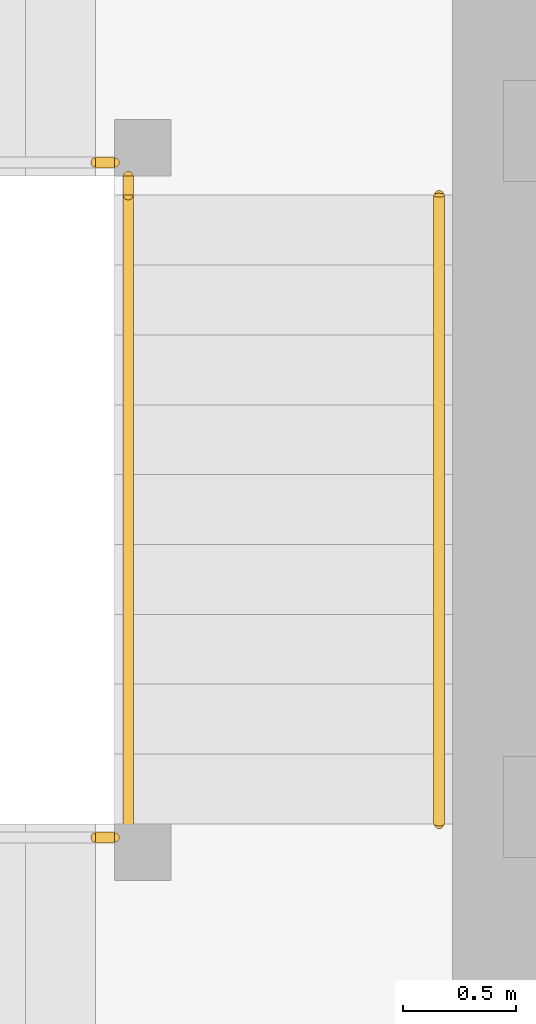
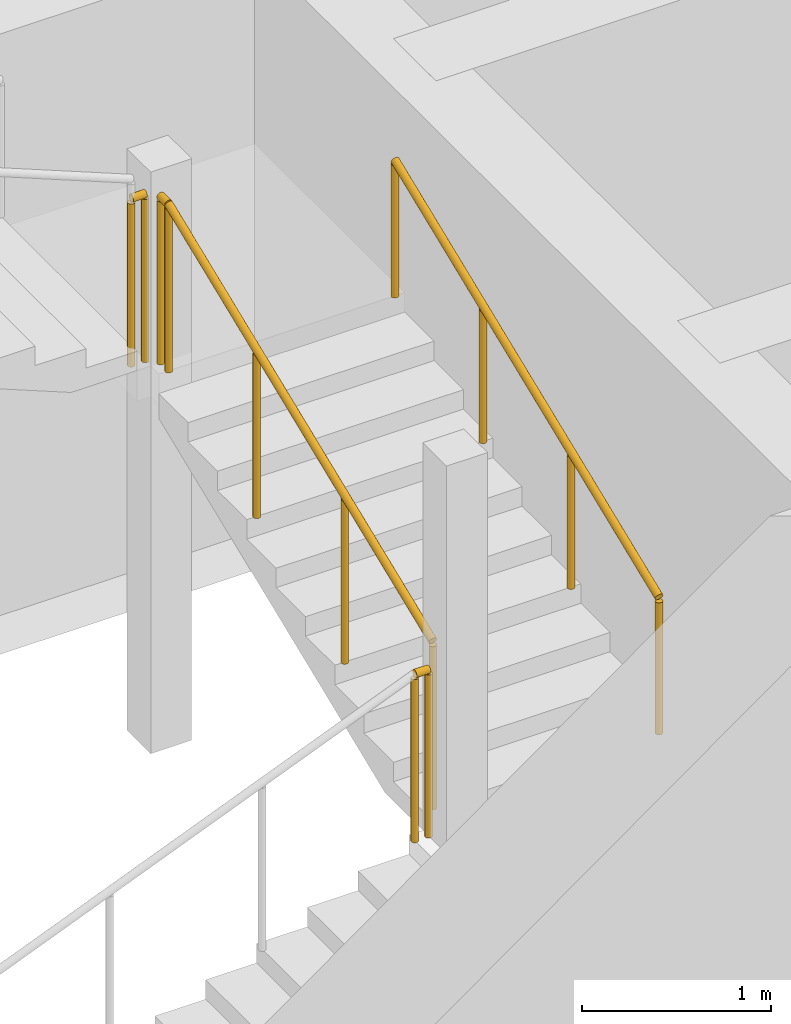
# One storey, part 30 of 33: 5 railings.
"""IFC4 building model written with IfcOpenShell, lengths in metres."""

import ifcopenshell
import ifcopenshell.guid

model = None  # the IFC model being written
_history = None  # IfcOwnerHistory: only IFC2X3 demands one
_inside = {}  # id of a spatial element -> (the spatial element, [elements in it])
_under = {}  # id of a project, library or spatial element -> (it, [spatial elements below it])
_declared = {}  # id of a project -> (the project, [libraries it declares])
_typed = {}  # id of a type object -> (the type object, [elements of that type])
_made_of = {}  # id of a material, layer set ... -> (it, [elements and type objects made of it])


def new_model(schema):
    """Start an empty IFC model of exactly this schema.

    Asked for "IFC4X3", IfcOpenShell would pick the latest addendum, in which some entities
    have other attributes; the version numbers below select the first issue.
    IFC2X3 requires an IfcOwnerHistory on every rooted entity: one is made here for all.
    """
    global model, _history
    if schema == "IFC4X3":
        model = ifcopenshell.file(schema_version=(4, 3, 0, 0))
    else:
        model = ifcopenshell.file(schema=schema)
    _inside.clear()
    _under.clear()
    _declared.clear()
    _typed.clear()
    _made_of.clear()
    _history = None
    if model.schema == "IFC2X3":
        org = make("IfcOrganization", Name="unknown")
        user = make(
            "IfcPersonAndOrganization",
            ThePerson=make("IfcPerson", FamilyName="unknown"),
            TheOrganization=org,
        )
        app = make(
            "IfcApplication",
            ApplicationDeveloper=org,
            Version="unknown",
            ApplicationFullName="unknown",
            ApplicationIdentifier="unknown",
        )
        _history = make(
            "IfcOwnerHistory",
            OwningUser=user,
            OwningApplication=app,
            ChangeAction="ADDED",
            CreationDate=0,
        )
    return model


def make(cls, **values):
    """One entity of the class cls with the attributes given. An attribute that is None is left unset."""
    return model.create_entity(
        cls, **{name: value for name, value in values.items() if value is not None}
    )


def rooted(cls, **values):
    """An entity with a GlobalId (a new one), such as an element, a storey or a relation."""
    return make(cls, GlobalId=ifcopenshell.guid.new(), OwnerHistory=_history, **values)


def si_unit(unit_type, name, prefix=None):
    """IfcSIUnit, for example si_unit("LENGTHUNIT", "METRE", prefix="MILLI")."""
    return make("IfcSIUnit", UnitType=unit_type, Prefix=prefix, Name=name)


def assignment(units):
    """IfcUnitAssignment: the units of a project."""
    return None if units is None else make("IfcUnitAssignment", Units=units)


def point(xyz):
    """IfcCartesianPoint."""
    return None if xyz is None else make("IfcCartesianPoint", Coordinates=xyz)


def direction(xyz):
    """IfcDirection."""
    return None if xyz is None else make("IfcDirection", DirectionRatios=xyz)


def frame(location, z_axis=None, x_axis=None):
    """IfcAxis2Placement3D, a coordinate frame: its origin and axes. An axis left out is left unset."""
    return make(
        "IfcAxis2Placement3D",
        Location=point(location),
        Axis=direction(z_axis),
        RefDirection=direction(x_axis),
    )


def frame_2d(location, x_axis=None):
    """IfcAxis2Placement2D, a coordinate frame in the plane: its origin and x axis."""
    return make(
        "IfcAxis2Placement2D", Location=point(location), RefDirection=direction(x_axis)
    )


def origin():
    """The frame at (0, 0, 0) with its axes left unset."""
    return frame((0.0, 0.0, 0.0))


def origin_2d():
    """The frame at (0, 0) in the plane with its x axis left unset."""
    return frame_2d((0.0, 0.0))


def place(relative_to, where):
    """IfcLocalPlacement: puts the frame where relative to a parent placement (None: the world)."""
    return make(
        "IfcLocalPlacement", PlacementRelTo=relative_to, RelativePlacement=where
    )


def context(
    kind, dimensions, precision=None, world=None, true_north=None, identifier=None
):
    """IfcGeometricRepresentationContext, for example the 3D "Model" context."""
    return make(
        "IfcGeometricRepresentationContext",
        ContextIdentifier=identifier,
        ContextType=kind,
        CoordinateSpaceDimension=dimensions,
        Precision=precision,
        WorldCoordinateSystem=world,
        TrueNorth=true_north,
    )


def subcontext(parent, identifier, kind, view, scale=None):
    """IfcGeometricRepresentationSubContext, for example "Body" below "Model"."""
    return make(
        "IfcGeometricRepresentationSubContext",
        ContextIdentifier=identifier,
        ContextType=kind,
        ParentContext=parent,
        TargetScale=scale,
        TargetView=view,
    )


def project(units=None, contexts=None):
    """IfcProject with its units and contexts."""
    return rooted(
        "IfcProject",
        Name="project",
        RepresentationContexts=contexts,
        UnitsInContext=assignment(units),
    )


def spatial(cls, under=None, at=None, **own):
    """A site, building, storey or space (cls), placed at a placement, below another one or the project."""
    s = rooted(cls, ObjectPlacement=at, **own)
    if under is not None:
        _under.setdefault(under.id(), (under, []))[1].append(s)
    return s


def profile(cls, at=None, kind="AREA", **sizes):
    """A parametric profile (cls). Its sizes go by their IFC names, for example OverallWidth=200.0."""
    return make(cls, ProfileType=kind, Position=at, **sizes)


def circle(**sizes):
    """IfcCircleProfileDef."""
    return profile("IfcCircleProfileDef", **sizes)


def extrude(swept, where, along, depth):
    """IfcExtrudedAreaSolid: the profile swept, set in the frame where, extruded along a direction by depth."""
    return make(
        "IfcExtrudedAreaSolid",
        SweptArea=swept,
        Position=where,
        ExtrudedDirection=direction(along),
        Depth=depth,
    )


def shape(context_of_items, identifier, shape_type, items):
    """IfcShapeRepresentation: the items that make up one representation, for example the "Body"."""
    return make(
        "IfcShapeRepresentation",
        ContextOfItems=context_of_items,
        RepresentationIdentifier=identifier,
        RepresentationType=shape_type,
        Items=items,
    )


def material(Name=None, Category=None):
    """IfcMaterial."""
    return make("IfcMaterial", Name=Name, Category=Category)


def made_of(thing, what):
    """Note that an element or type object is made of a material, layer set ...; save() writes the relation."""
    if what is not None:
        _made_of.setdefault(what.id(), (what, []))[1].append(thing)
    return thing


def type_object(cls, material=None, **own):
    """A type object (cls), such as IfcWallType, which elements share."""
    return made_of(rooted(cls, **own), material)


def element(
    cls,
    number,
    at=None,
    inside=None,
    cuts=None,
    type_object=None,
    material=None,
    context=None,
    identifier="Body",
    shape_type=None,
    held_by="IfcProductDefinitionShape",
    body=None,
    shapes=None,
    **own,
):
    """One element of the class cls, such as IfcWall. Its Tag is "e" and its number.

    at: its placement. inside: the storey or other place that contains it. cuts: it is an
    opening in that element (IfcRelVoidsElement). A single representation is given by context,
    identifier, shape_type and body (its items); several are given by shapes. held_by: the class
    of the entity that holds the representations. save() writes the other relations.
    """
    e = rooted(cls, Tag="e%d" % number, ObjectPlacement=at, **own)
    if body is not None:
        shapes = [shape(context, identifier, shape_type, body)]
    if shapes is not None:
        e.Representation = make(held_by, Representations=shapes)
    if inside is not None:
        _inside.setdefault(inside.id(), (inside, []))[1].append(e)
    if cuts is not None:
        rooted(
            "IfcRelVoidsElement", RelatingBuildingElement=cuts, RelatedOpeningElement=e
        )
    if type_object is not None:
        _typed.setdefault(type_object.id(), (type_object, []))[1].append(e)
    return made_of(e, material)


def aggregate(whole, parts):
    """IfcRelAggregates: a whole, such as a stair, and the parts it consists of."""
    return rooted("IfcRelAggregates", RelatingObject=whole, RelatedObjects=parts)


def save(model, path):
    """Write the relations noted so far, then the file.

    IfcRelAggregates (storeys below a building ...), IfcRelContainedInSpatialStructure (elements
    in a storey), IfcRelDefinesByType, IfcRelAssociatesMaterial and IfcRelDeclares: one each for
    every whole, place, type object, material and project.
    """
    for whole, parts in _under.values():
        aggregate(whole, parts)
    for where, things in _inside.values():
        rooted(
            "IfcRelContainedInSpatialStructure",
            RelatedElements=things,
            RelatingStructure=where,
        )
    for kind, things in _typed.values():
        rooted("IfcRelDefinesByType", RelatedObjects=things, RelatingType=kind)
    for what, things in _made_of.values():
        rooted("IfcRelAssociatesMaterial", RelatedObjects=things, RelatingMaterial=what)
    for by, libraries in _declared.values():
        rooted("IfcRelDeclares", RelatingContext=by, RelatedDefinitions=libraries)
    model.write(path)


model = new_model("IFC4")

# Units and contexts
model_context = context("Model", 3, precision=1e-05, world=origin(), true_north=direction((0.0, 1.0)))
body_context = subcontext(model_context, "Body", "Model", "MODEL_VIEW")
ifc_project = project(units=[si_unit("LENGTHUNIT", "METRE"), si_unit("AREAUNIT", "SQUARE_METRE"), si_unit("VOLUMEUNIT", "CUBIC_METRE"), si_unit("PLANEANGLEUNIT", "RADIAN"), si_unit("MASSUNIT", "GRAM", prefix="KILO")], contexts=[model_context])

# Site, building, storey
site_placement = place(None, origin())
site = spatial("IfcSite", under=ifc_project, at=site_placement, CompositionType="ELEMENT")
building_placement = place(site_placement, origin())
building = spatial("IfcBuilding", under=site, at=building_placement, Name="Rekha Terrace Tower", CompositionType="ELEMENT")
storey_placement = place(building_placement, frame((0.0, 0.0, 206.449951171875)))
storey = spatial("IfcBuildingStorey", under=building, at=storey_placement, Name="L52", CompositionType="ELEMENT", Elevation=206.449951171875)

# Railings
ifc_material_1 = material(Name="Stainless steel balustrade", Category="steel")
railing_type_1 = type_object("IfcRailingType", Name="GR1 1100 stair guard", PredefinedType="GUARDRAIL", material=ifc_material_1)
railing_1_placement = place(storey_placement, frame((30.135009765625, 41.324951171875, 1.375)))
element("IfcRailing", 1, at=railing_1_placement, inside=storey, type_object=railing_type_1, Name="Guard ST4 L52 flight 2", PredefinedType="GUARDRAIL", context=body_context, shape_type="SweptSolid", body=[
    extrude(circle(Radius=0.02392578125, at=origin_2d()), frame((0.0, 0.0, 1.076171875), z_axis=(0.0, 0.927443287984, 0.373963831907), x_axis=(-1.0, 0.0, 0.0)), (0.0, 0.0, 1.0), 3.00830078125),
    extrude(circle(Radius=0.02099609375, at=origin_2d()), origin(), (0.0, 0.0, 1.0), 1.052001953125),
    extrude(circle(Radius=0.02099609375, at=origin_2d()), frame((0.0, 0.929931640625, 0.375)), (0.0, 0.0, 1.0), 1.052001953125),
    extrude(circle(Radius=0.02099609375, at=origin_2d()), frame((0.0, 1.860107421875, 0.75)), (0.0, 0.0, 1.0), 1.052001953125),
    extrude(circle(Radius=0.02099609375, at=origin_2d()), frame((0.0, 2.7900390625, 1.125)), (0.0, 0.0, 1.0), 1.052001953125),
])
railing_2_placement = place(storey_placement, frame((29.989990234375, 41.264892578125, 1.25)))
element("IfcRailing", 2, at=railing_2_placement, inside=storey, type_object=railing_type_1, Name="Guard ST4 L52 landing 1", PredefinedType="GUARDRAIL", context=body_context, shape_type="SweptSolid", body=[
    extrude(circle(Radius=0.02392578125, at=origin_2d()), frame((0.0, 0.0, 1.076171875), z_axis=(1.0, 0.0, 0.0), x_axis=(0.0, 1.0, 0.0)), (0.0, 0.0, 1.0), 0.0849609375),
    extrude(circle(Radius=0.02099609375, at=origin_2d()), origin(), (0.0, 0.0, 1.0), 1.052001953125),
    extrude(circle(Radius=0.02099609375, at=origin_2d()), frame((0.0849609375, 0.0, 0.0)), (0.0, 0.0, 1.0), 1.052001953125),
])
railing_3_placement = place(storey_placement, frame((30.135009765625, 44.114990234375, 2.5)))
element("IfcRailing", 3, at=railing_3_placement, inside=storey, type_object=railing_type_1, Name="Guard ST4 L52 landing 2", PredefinedType="GUARDRAIL", context=body_context, shape_type="SweptSolid", body=[
    extrude(circle(Radius=0.02392578125, at=origin_2d()), frame((0.0, 0.0, 1.076171875), z_axis=(0.0, 1.0, 0.0), x_axis=(-1.0, 0.0, 0.0)), (0.0, 0.0, 1.0), 0.0849609375),
    extrude(circle(Radius=0.02099609375, at=origin_2d()), origin(), (0.0, 0.0, 1.0), 1.052001953125),
    extrude(circle(Radius=0.02099609375, at=origin_2d()), frame((0.0, 0.0849609375, 0.0)), (0.0, 0.0, 1.0), 1.052001953125),
])
railing_4_placement = place(storey_placement, frame((29.989990234375, 44.260009765625, 2.5)))
element("IfcRailing", 4, at=railing_4_placement, inside=storey, type_object=railing_type_1, Name="Guard ST4 L52 landing 3", PredefinedType="GUARDRAIL", context=body_context, shape_type="SweptSolid", body=[
    extrude(circle(Radius=0.02392578125, at=origin_2d()), frame((0.0, 0.0, 1.076171875), z_axis=(1.0, 0.0, 0.0), x_axis=(0.0, 1.0, 0.0)), (0.0, 0.0, 1.0), 0.0849609375),
    extrude(circle(Radius=0.02099609375, at=origin_2d()), origin(), (0.0, 0.0, 1.0), 1.052001953125),
    extrude(circle(Radius=0.02099609375, at=origin_2d()), frame((0.0849609375, 0.0, 0.0)), (0.0, 0.0, 1.0), 1.052001953125),
])
ifc_material_2 = material(Name="Stainless steel tube", Category="steel")
railing_type_2 = type_object("IfcRailingType", Name="HR1 900 stair handrail", PredefinedType="HANDRAIL", material=ifc_material_2)
railing_5_placement = place(storey_placement, frame((31.514892578125, 41.324951171875, 1.375)))
element("IfcRailing", 5, at=railing_5_placement, inside=storey, type_object=railing_type_2, Name="Handrail ST4 L52 flight 2", PredefinedType="HANDRAIL", context=body_context, shape_type="SweptSolid", body=[
    extrude(circle(Radius=0.02392578125, at=origin_2d()), frame((0.0, 0.0, 0.8759765625), z_axis=(0.0, 0.927443287984, 0.373963831907), x_axis=(-1.0, 0.0, 0.0)), (0.0, 0.0, 1.0), 3.00830078125),
    extrude(circle(Radius=0.02099609375, at=origin_2d()), origin(), (0.0, 0.0, 1.0), 0.851806640625),
    extrude(circle(Radius=0.02099609375, at=origin_2d()), frame((0.0, 0.929931640625, 0.375)), (0.0, 0.0, 1.0), 0.851806640625),
    extrude(circle(Radius=0.02099609375, at=origin_2d()), frame((0.0, 1.860107421875, 0.75)), (0.0, 0.0, 1.0), 0.851806640625),
    extrude(circle(Radius=0.02099609375, at=origin_2d()), frame((0.0, 2.7900390625, 1.125)), (0.0, 0.0, 1.0), 0.851806640625),
])

save(model, "model.ifc")
